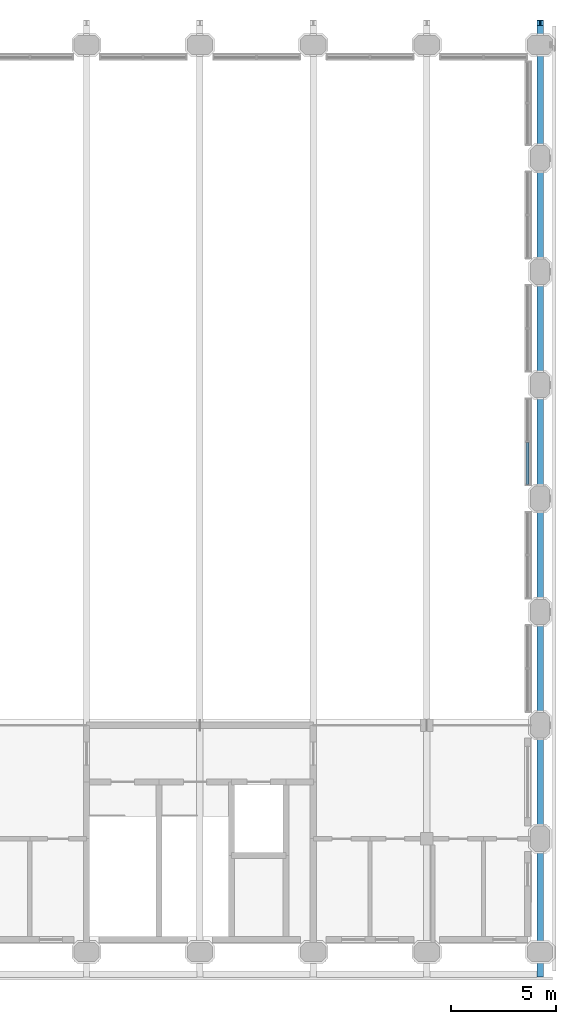
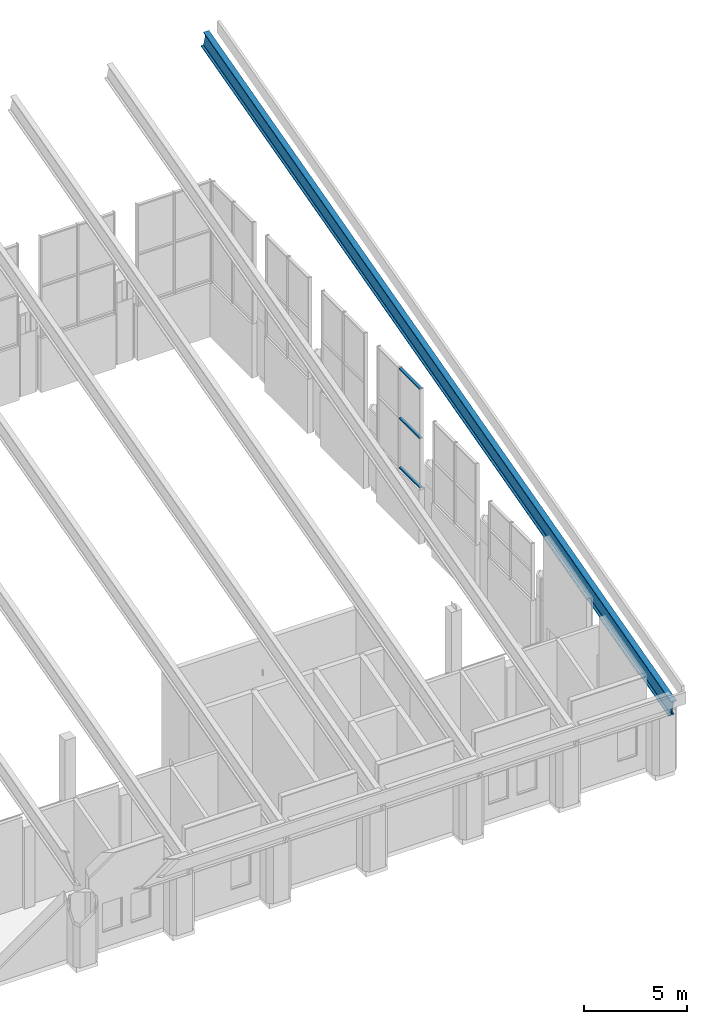
# One storey, part 19 of 42: 3 members, 1 beam, 1 element without a shape of its own.
"""IFC4 building model written with IfcOpenShell, lengths in metres."""

from ifc_helpers import new_model, si_unit, direction, frame, origin, origin_2d, place, context, subcontext, project, spatial, rectangle, i_section, extrude, material, material_profile, profile_set, type_object, element, aggregate, save


model = new_model("IFC4")

# Units and contexts
model_context = context("Model", 3, precision=1e-05, world=origin(), true_north=direction((0.0, 1.0)))
body_context = subcontext(model_context, "Body", "Model", "MODEL_VIEW")
ifc_project = project(units=[si_unit("LENGTHUNIT", "METRE"), si_unit("AREAUNIT", "SQUARE_METRE"), si_unit("VOLUMEUNIT", "CUBIC_METRE"), si_unit("PLANEANGLEUNIT", "RADIAN"), si_unit("MASSUNIT", "GRAM", prefix="KILO")], contexts=[model_context])

# Site, building, storey
site_placement = place(None, origin())
site = spatial("IfcSite", under=ifc_project, at=site_placement, CompositionType="ELEMENT")
building_placement = place(site_placement, origin())
building = spatial("IfcBuilding", under=site, at=building_placement, Name="Tabaq Tower and Sports Hall", CompositionType="ELEMENT")
storey_placement = place(building_placement, frame((0.0, 0.0, 19.800048828125)))
storey = spatial("IfcBuildingStorey", under=building, at=storey_placement, Name="L03", CompositionType="ELEMENT", Elevation=19.800048828125)

# Curtain wall, members
ifc_material_1 = material(Name="Aluminium alloy 6063-T6 framed glazing", Category="aluminium")
curtain_wall_type = type_object("IfcCurtainWallType", Name="CW6 curtain wall", PredefinedType="USERDEFINED", material=ifc_material_1)
curtain_wall_placement = place(storey_placement, origin())
curtain_wall = element("IfcCurtainWall", 1, at=curtain_wall_placement, inside=storey, type_object=curtain_wall_type, Name="L03 E hall glazing run", ObjectType="HALL FACADE WALL", PredefinedType="USERDEFINED")
ifc_material_2 = material(Name="Aluminium alloy 6063-T6", Category="aluminium")
ifc_material_profile_1 = material_profile(ifc_material_2, rectangle(XDim=0.159912109375, YDim=0.070068359375, at=origin_2d()), Name="TRANSOM 160x70")
ifc_profile_set_1 = profile_set([ifc_material_profile_1], Name="Aluminium alloy 6063-T6")
member_type = type_object("IfcMemberType", Name="CW6 transom 160x70", PredefinedType="USERDEFINED", material=ifc_profile_set_1)
member_1_placement = place(storey_placement, frame((123.60009765625, 22.27001953125, 3.280029296875), z_axis=(0.0, 1.0, 0.0), x_axis=(-1.0, 0.0, 0.0)))
member_1 = element("IfcMember", 2, at=member_1_placement, type_object=member_type, Name="CW6 transom 1.1", ObjectType="TRANSOM", PredefinedType="USERDEFINED", context=body_context, shape_type="SweptSolid", body=[
    extrude(rectangle(XDim=0.159912109375, YDim=0.070068359375, at=origin_2d()), origin(), (0.0, 0.0, 1.0), 1.994873046875),
])
member_2_placement = place(storey_placement, frame((123.60009765625, 22.27001953125, 6.199951171875), z_axis=(0.0, 1.0, 0.0), x_axis=(-1.0, 0.0, 0.0)))
member_2 = element("IfcMember", 3, at=member_2_placement, type_object=member_type, Name="CW6 transom 1.2", ObjectType="TRANSOM", PredefinedType="USERDEFINED", context=body_context, shape_type="SweptSolid", body=[
    extrude(rectangle(XDim=0.159912109375, YDim=0.070068359375, at=origin_2d()), origin(), (0.0, 0.0, 1.0), 1.994873046875),
])
member_3_placement = place(storey_placement, frame((123.60009765625, 22.27001953125, 9.119873046875), z_axis=(0.0, 1.0, 0.0), x_axis=(-1.0, 0.0, 0.0)))
member_3 = element("IfcMember", 4, at=member_3_placement, type_object=member_type, Name="CW6 transom 1.3", ObjectType="TRANSOM", PredefinedType="USERDEFINED", context=body_context, shape_type="SweptSolid", body=[
    extrude(rectangle(XDim=0.159912109375, YDim=0.070068359375, at=origin_2d()), origin(), (0.0, 0.0, 1.0), 1.994873046875),
])
aggregate(curtain_wall, [member_1, member_2, member_3])

# Beam
ifc_material_3 = material(Name="Steel S355", Category="steel")
ifc_material_profile_2 = material_profile(ifc_material_3, i_section(OverallWidth=0.305419921875, OverallDepth=1.026123046875, WebThickness=0.02685546875, FlangeThickness=0.048095703125, FilletRadius=0.030029296875, at=origin_2d()), Name="UB 1016x305x437")
ifc_profile_set_2 = profile_set([ifc_material_profile_2], Name="Steel S355")
beam_type = type_object("IfcBeamType", Name="HALL ROOF GIRDER UB 1016x305x437", PredefinedType="BEAM", material=ifc_profile_set_2)
beam_placement = place(storey_placement, frame((124.199951171875, -1.050048828125, 4.171875), z_axis=(0.0, 0.96592544198, 0.258820479358), x_axis=(-1.0, 0.0, 0.0)))
element("IfcBeam", 5, at=beam_placement, inside=storey, type_object=beam_type, Name="Roof girder 24", PredefinedType="BEAM", context=body_context, shape_type="SweptSolid", body=[
    extrude(i_section(OverallWidth=0.305419921875, OverallDepth=1.026123046875, WebThickness=0.02685546875, FlangeThickness=0.048095703125, FilletRadius=0.030029296875, at=origin_2d()), origin(), (0.0, 0.0, 1.0), 46.898193359375),
])

save(model, "model.ifc")
